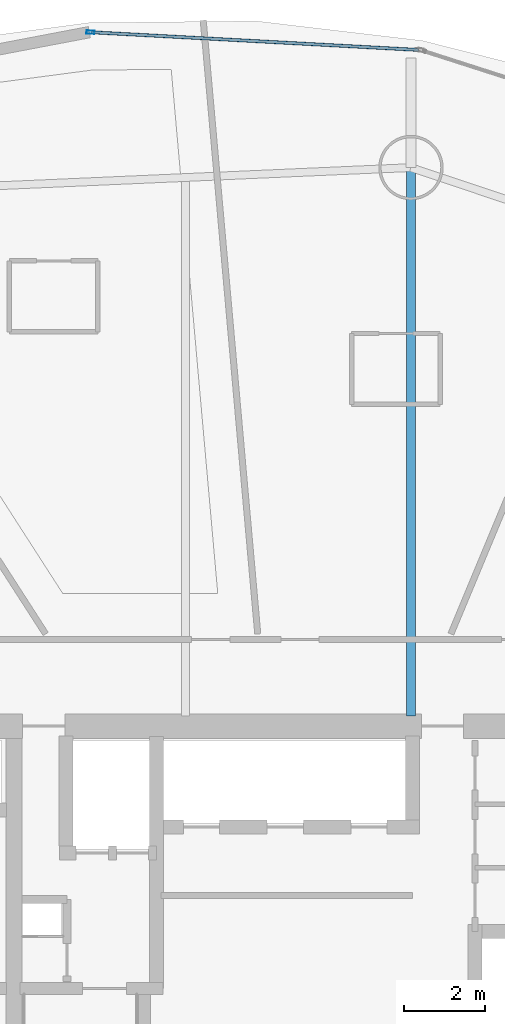
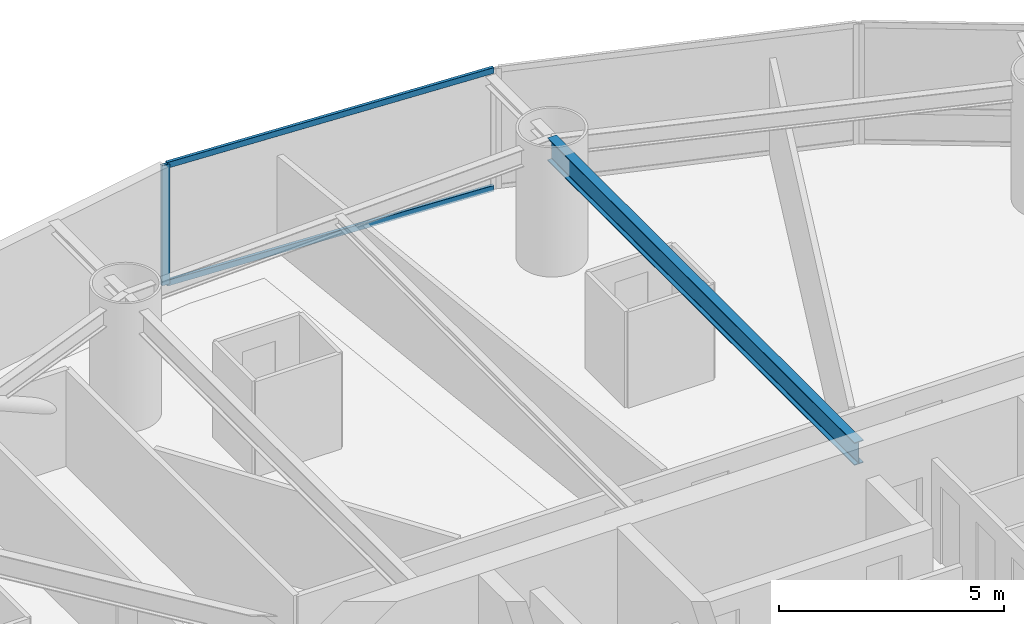
# One storey, part 14 of 26: 3 members, 1 beam, 1 element without a shape of its own.
"""IFC4 building model written with IfcOpenShell, lengths in metres."""

from ifc_helpers import new_model, si_unit, direction, frame, origin, origin_2d, place, context, subcontext, project, spatial, hollow_rectangle, i_section, extrude, material, layer, layer_set, material_profile, profile_set, type_object, element, aggregate, save


model = new_model("IFC4")

# Units and contexts
model_context = context("Model", 3, precision=1e-05, world=origin(), true_north=direction((0.0, 1.0)))
body_context = subcontext(model_context, "Body", "Model", "MODEL_VIEW")
ifc_project = project(units=[si_unit("LENGTHUNIT", "METRE"), si_unit("AREAUNIT", "SQUARE_METRE"), si_unit("VOLUMEUNIT", "CUBIC_METRE"), si_unit("PLANEANGLEUNIT", "RADIAN"), si_unit("MASSUNIT", "GRAM", prefix="KILO")], contexts=[model_context])

# Site, building, storey
site_placement = place(None, origin())
site = spatial("IfcSite", under=ifc_project, at=site_placement, CompositionType="ELEMENT")
building_placement = place(site_placement, origin())
building = spatial("IfcBuilding", under=site, at=building_placement, Name="Bramvorn Convention Spire", CompositionType="ELEMENT")
storey_placement = place(building_placement, frame((0.0, 0.0, 76.39990234375)))
storey = spatial("IfcBuildingStorey", under=building, at=storey_placement, Name="L17", CompositionType="ELEMENT", Elevation=76.39990234375)

# Beam
ifc_material_1 = material(Name="Steel CSA G40.21 Grade 350 (350W)", Category="steel")
ifc_material_profile_1 = material_profile(ifc_material_1, i_section(OverallWidth=0.22998046875, OverallDepth=0.616943359375, WebThickness=0.01318359375, FlangeThickness=0.022216796875, FilletRadius=0.02001953125, at=origin_2d()))
ifc_profile_set_1 = profile_set([ifc_material_profile_1], Name="Steel CSA G40.21 Grade 350 (350W) - W610X140")
beam_type = type_object("IfcBeamType", Name="BM-W610X140", PredefinedType="BEAM", material=ifc_profile_set_1)
beam_placement = place(storey_placement, frame((40.9609375, 33.449951171875, 2.941650390625), z_axis=(0.0, 1.0, 0.0), x_axis=(-1.0, 0.0, 0.0)))
element("IfcBeam", 1, at=beam_placement, inside=storey, type_object=beam_type, Name="L17 radial floor girder MC05", PredefinedType="BEAM", context=body_context, shape_type="SweptSolid", body=[
    extrude(i_section(OverallWidth=0.22998046875, OverallDepth=0.616943359375, WebThickness=0.01318359375, FlangeThickness=0.022216796875, FilletRadius=0.02001953125, at=origin_2d()), origin(), (0.0, 0.0, 1.0), 13.618896484375),
])

# Curtain wall, members
ifc_material_2 = material(Name="Anodised Bronze Unitised Curtain Wall", Category="aluminium")
ifc_layer = layer(ifc_material_2, 0.179931640625)
ifc_layer_set = layer_set([ifc_layer], Name="Anodised Bronze Unitised Curtain Wall - CW-HTL-FRIT")
curtain_wall_type = type_object("IfcCurtainWallType", Name="CW-HTL-FRIT", PredefinedType="USERDEFINED", material=ifc_layer_set)
curtain_wall_placement = place(storey_placement, origin())
curtain_wall = element("IfcCurtainWall", 2, at=curtain_wall_placement, inside=storey, type_object=curtain_wall_type, Name="L17 fritted glass curtain wall 07", ObjectType="UNITISED CURTAIN WALL", PredefinedType="USERDEFINED")
ifc_material_3 = material(Name="Anodised Bronze Aluminium 6063-T6", Category="aluminium")
ifc_material_profile_2 = material_profile(ifc_material_3, hollow_rectangle(XDim=0.080078125, YDim=0.199951171875, WallThickness=0.00390625, InnerFilletRadius=0.0009765625, OuterFilletRadius=0.00390625, at=origin_2d()))
ifc_profile_set_2 = profile_set([ifc_material_profile_2], Name="Anodised Bronze Aluminium 6063-T6 - CWM80X200")
member_type_1 = type_object("IfcMemberType", Name="CW-MUL-180", PredefinedType="MULLION", material=ifc_profile_set_2)
member_1_placement = place(storey_placement, frame((33.00439453125, 50.43017578125, 0.0), z_axis=(0.0, 0.0, 1.0), x_axis=(0.053959235663, 0.998543139222, 0.0)))
member_1 = element("IfcMember", 3, at=member_1_placement, type_object=member_type_1, Name="CW2 mullion 1", PredefinedType="MULLION", context=body_context, shape_type="SweptSolid", body=[
    extrude(hollow_rectangle(XDim=0.080078125, YDim=0.199951171875, WallThickness=0.00390625, InnerFilletRadius=0.0009765625, OuterFilletRadius=0.00390625, at=origin_2d()), origin(), (0.0, 0.0, 1.0), 3.25),
])
ifc_material_profile_3 = material_profile(ifc_material_3, hollow_rectangle(XDim=0.080078125, YDim=0.159912109375, WallThickness=0.00390625, InnerFilletRadius=0.0009765625, OuterFilletRadius=0.00390625, at=origin_2d()))
ifc_profile_set_3 = profile_set([ifc_material_profile_3], Name="Anodised Bronze Aluminium 6063-T6 - CWT80X160")
member_type_2 = type_object("IfcMemberType", Name="CW-TRN-150", PredefinedType="USERDEFINED", material=ifc_profile_set_3)
member_2_placement = place(storey_placement, frame((33.034423828125, 50.4287109375, 0.030029296875), z_axis=(0.998543105151, -0.053959866145, 0.0), x_axis=(0.053959866145, 0.998543105151, 0.0)))
member_2 = element("IfcMember", 4, at=member_2_placement, type_object=member_type_2, Name="CW2 transom 1.1", ObjectType="TRANSOM", PredefinedType="USERDEFINED", context=body_context, shape_type="SweptSolid", body=[
    extrude(hollow_rectangle(XDim=0.080078125, YDim=0.159912109375, WallThickness=0.00390625, InnerFilletRadius=0.0009765625, OuterFilletRadius=0.00390625, at=origin_2d()), origin(), (0.0, 0.0, 1.0), 8.121337890625),
])
member_3_placement = place(storey_placement, frame((33.034423828125, 50.4287109375, 3.22021484375), z_axis=(0.998543105151, -0.053959866145, 0.0), x_axis=(0.053959866145, 0.998543105151, 0.0)))
member_3 = element("IfcMember", 5, at=member_3_placement, type_object=member_type_2, Name="CW2 transom 1.2", ObjectType="TRANSOM", PredefinedType="USERDEFINED", context=body_context, shape_type="SweptSolid", body=[
    extrude(hollow_rectangle(XDim=0.080078125, YDim=0.159912109375, WallThickness=0.00390625, InnerFilletRadius=0.0009765625, OuterFilletRadius=0.00390625, at=origin_2d()), origin(), (0.0, 0.0, 1.0), 8.121337890625),
])
aggregate(curtain_wall, [member_1, member_2, member_3])

save(model, "model.ifc")
